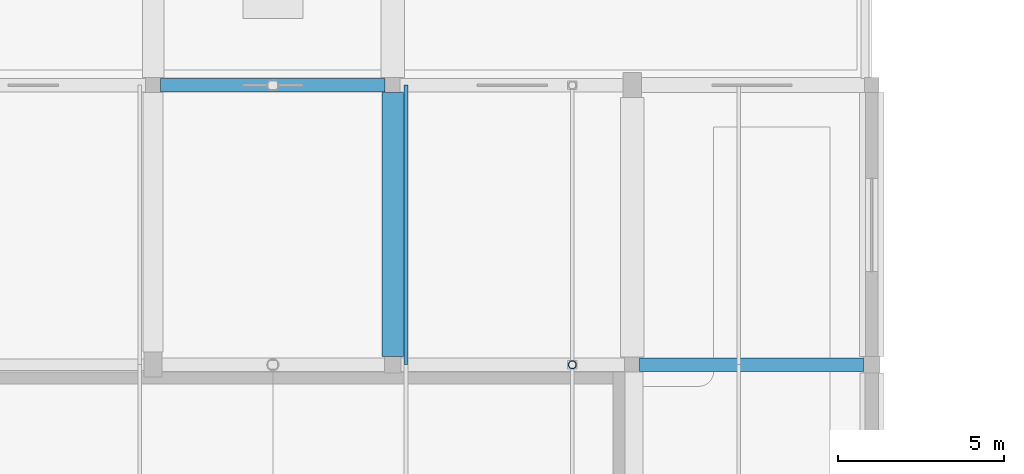
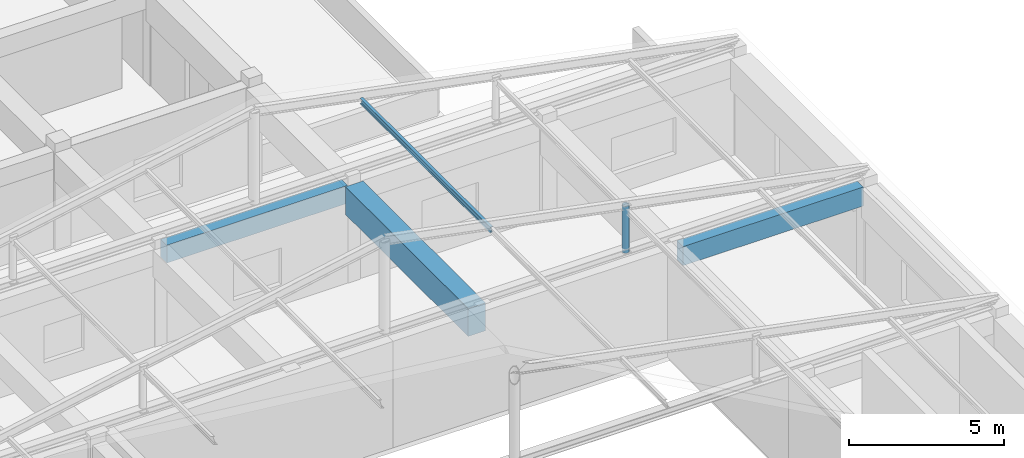
# One storey, part 44 of 74: 3 beams, 2 members.
"""IFC4 building model written with IfcOpenShell, lengths in metres."""

from ifc_helpers import new_model, si_unit, direction, frame, origin, origin_2d, place, context, subcontext, project, spatial, rectangle, hollow_circle, i_section, extrude, material, material_profile, profile_set, type_object, element, save


model = new_model("IFC4")

# Units and contexts
model_context = context("Model", 3, precision=1e-05, world=origin(), true_north=direction((0.0, 1.0)))
body_context = subcontext(model_context, "Body", "Model", "MODEL_VIEW")
ifc_project = project(units=[si_unit("LENGTHUNIT", "METRE"), si_unit("AREAUNIT", "SQUARE_METRE"), si_unit("VOLUMEUNIT", "CUBIC_METRE"), si_unit("PLANEANGLEUNIT", "RADIAN"), si_unit("MASSUNIT", "GRAM", prefix="KILO")], contexts=[model_context])

# Site, building, storey
site_placement = place(None, origin())
site = spatial("IfcSite", under=ifc_project, at=site_placement, CompositionType="ELEMENT")
building_placement = place(site_placement, origin())
building = spatial("IfcBuilding", under=site, at=building_placement, Name="Korsvaeld Concert Hall", CompositionType="ELEMENT")
storey_placement = place(building_placement, frame((0.0, 0.0, 9.0)))
storey = spatial("IfcBuildingStorey", under=building, at=storey_placement, Name="L02", CompositionType="ELEMENT", Elevation=9.0)

# Beams
ifc_material_1 = material(Name="Concrete C35/45", Category="concrete")
ifc_material_profile_1 = material_profile(ifc_material_1, rectangle(XDim=0.39990234375, YDim=0.699951171875, at=origin_2d()), Name="RC 400x700")
ifc_profile_set_1 = profile_set([ifc_material_profile_1], Name="Concrete C35/45")
beam_type_1 = type_object("IfcBeamType", Name="BM-RC-400x700", PredefinedType="T_BEAM", material=ifc_profile_set_1)
beam_1_placement = place(storey_placement, frame((132.22509765625, 76.800048828125, 3.489990234375), z_axis=(1.0, 0.0, 0.0), x_axis=(0.0, 1.0, 0.0)))
element("IfcBeam", 1, at=beam_1_placement, inside=storey, type_object=beam_type_1, Name="Primary girder 18-19/L L02", PredefinedType="T_BEAM", context=body_context, shape_type="SweptSolid", body=[
    extrude(rectangle(XDim=0.39990234375, YDim=0.699951171875, at=origin_2d()), origin(), (0.0, 0.0, 1.0), 6.75),
])
ifc_material_profile_2 = material_profile(ifc_material_1, rectangle(XDim=0.39990234375, YDim=0.75, at=origin_2d()), Name="RC 400x750")
ifc_profile_set_2 = profile_set([ifc_material_profile_2], Name="Concrete C35/45")
beam_type_2 = type_object("IfcBeamType", Name="BM-RC-400x750", PredefinedType="T_BEAM", material=ifc_profile_set_2)
beam_2_placement = place(storey_placement, frame((146.625, 68.39990234375, 3.465087890625), z_axis=(1.0, 0.0, 0.0), x_axis=(0.0, 1.0, 0.0)))
element("IfcBeam", 2, at=beam_2_placement, inside=storey, type_object=beam_type_2, Name="Primary girder 20-21/K L02", PredefinedType="T_BEAM", context=body_context, shape_type="SweptSolid", body=[
    extrude(rectangle(XDim=0.39990234375, YDim=0.75, at=origin_2d()), origin(), (0.0, 0.0, 1.0), 6.72509765625),
])
ifc_material_2 = material(Name="Concrete C40/50", Category="concrete")
ifc_material_profile_3 = material_profile(ifc_material_2, rectangle(XDim=0.64990234375, YDim=1.10009765625, at=origin_2d()), Name="RC 650x1100")
ifc_profile_set_3 = profile_set([ifc_material_profile_3], Name="Concrete C40/50")
beam_type_3 = type_object("IfcBeamType", Name="BM-RC-650x1100", PredefinedType="T_BEAM", material=ifc_profile_set_3)
beam_3_placement = place(storey_placement, frame((139.199951171875, 68.64990234375, 3.2900390625), z_axis=(0.0, 1.0, 0.0), x_axis=(-1.0, 0.0, 0.0)))
element("IfcBeam", 3, at=beam_3_placement, inside=storey, type_object=beam_type_3, Name="Primary girder 19/K-L L02", PredefinedType="T_BEAM", context=body_context, shape_type="SweptSolid", body=[
    extrude(rectangle(XDim=0.64990234375, YDim=1.10009765625, at=origin_2d()), origin(), (0.0, 0.0, 1.0), 7.925048828125),
])

# Members
ifc_material_3 = material(Name="Steel S355J2", Category="steel")
ifc_material_profile_4 = material_profile(ifc_material_3, i_section(OverallWidth=0.110107421875, OverallDepth=0.219970703125, WebThickness=0.005859375, FlangeThickness=0.00927734375, FilletRadius=0.011962890625, at=origin_2d()), Name="IPE 220")
ifc_profile_set_4 = profile_set([ifc_material_profile_4], Name="Steel S355J2")
member_type_1 = type_object("IfcMemberType", Name="MEM-PUR-IPE220", PredefinedType="PURLIN", material=ifc_profile_set_4)
member_1_placement = place(storey_placement, frame((139.60009765625, 68.39990234375, 6.85009765625), z_axis=(0.0, 1.0, 0.0), x_axis=(-1.0, 0.0, 0.0)))
element("IfcMember", 4, at=member_1_placement, inside=storey, type_object=member_type_1, Name="Chamber Hall roof purlin 139.4", PredefinedType="PURLIN", context=body_context, shape_type="SweptSolid", body=[
    extrude(i_section(OverallWidth=0.110107421875, OverallDepth=0.219970703125, WebThickness=0.005859375, FlangeThickness=0.00927734375, FilletRadius=0.011962890625, at=origin_2d()), origin(), (0.0, 0.0, 1.0), 8.400146484375),
])
ifc_material_profile_5 = material_profile(ifc_material_3, hollow_circle(Radius=0.122314453125, WallThickness=0.012451171875, at=origin_2d()), Name="CHS 244.5x12.5")
ifc_profile_set_5 = profile_set([ifc_material_profile_5], Name="Steel S355J2")
member_type_2 = type_object("IfcMemberType", Name="MEM-STR-CHS244", PredefinedType="STRUT", material=ifc_profile_set_5)
member_2_placement = place(storey_placement, frame((144.60009765625, 68.39990234375, 4.25), z_axis=(0.0, 0.0, 1.0), x_axis=(1.0, 0.0, 0.0)))
element("IfcMember", 5, at=member_2_placement, inside=storey, type_object=member_type_2, Name="Chamber Hall truss web 4.144", PredefinedType="STRUT", context=body_context, shape_type="SweptSolid", body=[
    extrude(hollow_circle(Radius=0.122314453125, WallThickness=0.012451171875, at=origin_2d()), origin(), (0.0, 0.0, 1.0), 1.85009765625),
])

save(model, "model.ifc")
